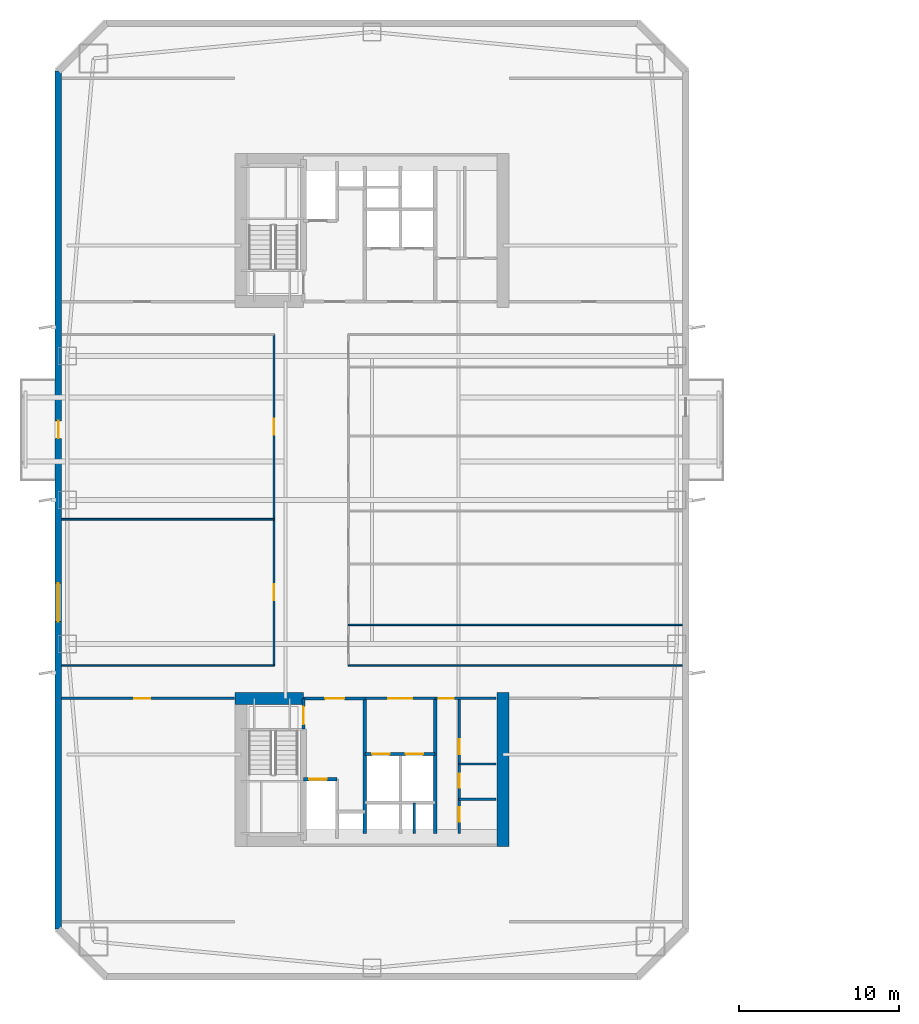
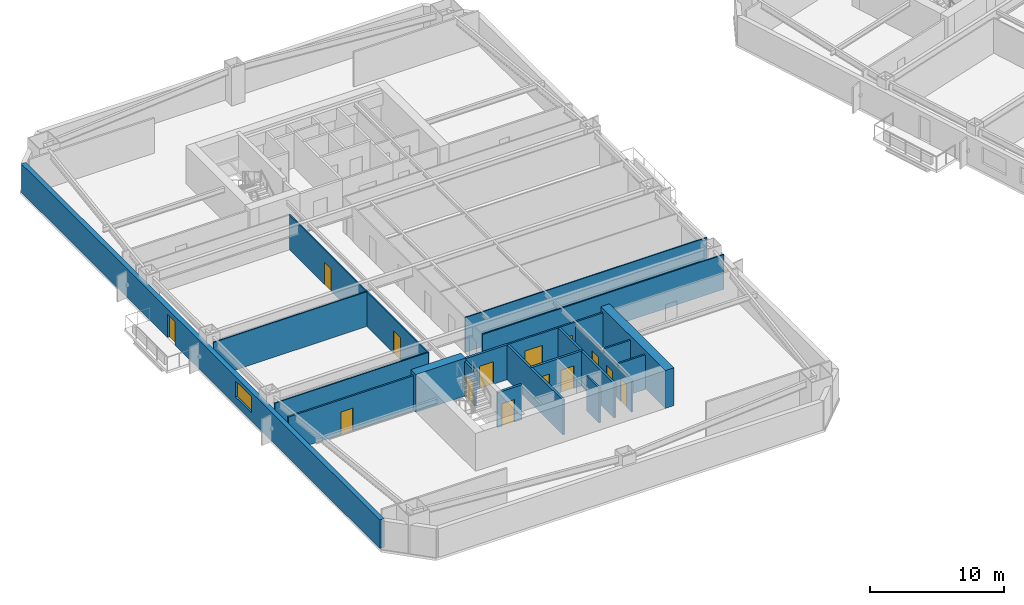
# One storey, part 6 of 19: 21 walls, 14 doors, 1 window, 15 openings.
"""IFC4 building model written with IfcOpenShell, lengths in metres."""

from ifc_helpers import new_model, si_unit, direction, frame, frame_2d, origin, place, context, subcontext, project, spatial, rectangle, extrude, material, layer, layer_set, type_object, element, fill, save


model = new_model("IFC4")

# Units and contexts
model_context = context("Model", 3, precision=1e-05, world=origin(), true_north=direction((0.0, 1.0)))
body_context = subcontext(model_context, "Body", "Model", "MODEL_VIEW")
ifc_project = project(units=[si_unit("LENGTHUNIT", "METRE"), si_unit("AREAUNIT", "SQUARE_METRE"), si_unit("VOLUMEUNIT", "CUBIC_METRE"), si_unit("PLANEANGLEUNIT", "RADIAN"), si_unit("MASSUNIT", "GRAM", prefix="KILO")], contexts=[model_context])

# Site, building, storey
site_placement = place(None, origin())
site = spatial("IfcSite", under=ifc_project, at=site_placement, CompositionType="ELEMENT")
building_placement = place(site_placement, origin())
building = spatial("IfcBuilding", under=site, at=building_placement, Name="Qiaolan Cultural Towers", CompositionType="ELEMENT")
storey_placement = place(building_placement, frame((0.0, 0.0, 78.199951171875)))
storey = spatial("IfcBuildingStorey", under=building, at=storey_placement, Name="L19", CompositionType="ELEMENT", Elevation=78.199951171875)

# Walls
ifc_material_1 = material(Name="Concrete C60", Category="concrete")
ifc_layer_1 = layer(ifc_material_1, 0.75)
ifc_layer_set_1 = layer_set([ifc_layer_1], Name="Concrete C60")
wall_type_1 = type_object("IfcWallType", Name="WL-CORE-750", PredefinedType="SHEAR", material=ifc_layer_set_1)
wall_1_placement = place(storey_placement, frame((38.199951171875, 21.97509765625, 0.0), z_axis=(0.0, 0.0, 1.0), x_axis=(0.0, -1.0, 0.0)))
element("IfcWall", 1, at=wall_1_placement, inside=storey, type_object=wall_type_1, Name="L19 T1-CS East Core Shear Wall", PredefinedType="SHEAR", context=body_context, shape_type="SweptSolid", body=[
    extrude(rectangle(XDim=9.630126953125, YDim=0.75, at=frame_2d((4.81494140625, 0.0))), origin(), (0.0, 0.0, 1.0), 3.449951171875),
])
wall_2_placement = place(storey_placement, frame((21.425048828125, 21.60009765625, 0.0), z_axis=(0.0, 0.0, 1.0), x_axis=(1.0, 0.0, 0.0)))
element("IfcWall", 2, at=wall_2_placement, inside=storey, type_object=wall_type_1, Name="L19 T1-CS Stair Front Shear Wall", PredefinedType="SHEAR", context=body_context, shape_type="SweptSolid", body=[
    extrude(rectangle(XDim=4.294921875, YDim=0.75, at=frame_2d((2.1474609375, 0.0))), origin(), (0.0, 0.0, 1.0), 3.449951171875),
])

# Wall, openings, door, window
ifc_material_2 = material(Name="Precast Concrete C50 Honed Stone Pier", Category="masonry")
ifc_layer_2 = layer(ifc_material_2, 0.39990234375)
ifc_layer_set_2 = layer_set([ifc_layer_2], Name="Precast Concrete C50 Honed Stone Pier")
wall_type_2 = type_object("IfcWallType", Name="WL-EXT-PIER-400", PredefinedType="SOLIDWALL", material=ifc_layer_set_2)
wall_3_placement = place(storey_placement, frame((10.39990234375, 7.199951171875, 0.0), z_axis=(0.0, 0.0, 1.0), x_axis=(0.0, 1.0, 0.0)))
wall_3 = element("IfcWall", 3, at=wall_3_placement, inside=storey, type_object=wall_type_2, Name="L19 West Tower Precast Pier Facade Wall F1", PredefinedType="SOLIDWALL", context=body_context, shape_type="SweptSolid", body=[
    extrude(rectangle(XDim=53.60009765625, YDim=0.39990234375, at=frame_2d((26.800048828125, 0.0))), origin(), (0.0, 0.0, 1.0), 2.610107421875),
])
opening_1_placement = place(wall_3_placement, frame((19.199951171875, 0.0, 0.75)))
opening_1 = element("IfcOpeningElement", 4, at=opening_1_placement, cuts=wall_3, Name="Opening W-02", PredefinedType="OPENING", context=body_context, shape_type="SweptSolid", body=[
    extrude(rectangle(XDim=2.39990234375, YDim=1.4599609375, at=frame_2d((1.199951171875, 0.72998046875))), frame((0.0, 0.2099609375, 0.0), z_axis=(0.0, -1.0, 0.0), x_axis=(1.0, 0.0, 0.0)), (0.0, 0.0, 1.0), 0.419921875),
])
opening_2_placement = place(wall_3_placement, frame((30.64990234375, 0.0, 0.0)))
opening_2 = element("IfcOpeningElement", 5, at=opening_2_placement, cuts=wall_3, Name="Opening BD-01", PredefinedType="OPENING", context=body_context, shape_type="SweptSolid", body=[
    extrude(rectangle(XDim=1.10009765625, YDim=2.14990234375, at=frame_2d((0.550048828125, 1.074951171875))), frame((0.0, 0.2099609375, 0.0), z_axis=(0.0, -1.0, 0.0), x_axis=(1.0, 0.0, 0.0)), (0.0, 0.0, 1.0), 0.419921875),
])
ifc_material_3 = material(Name="Thermally Broken Aluminium Glazed Terrace Door", Category="aluminium")
door_type_1 = type_object("IfcDoorType", Name="DR-BAL-1100", OperationType="NOTDEFINED", PredefinedType="DOOR", material=ifc_material_3)
door_1_placement = place(opening_2_placement, origin())
door_1 = element("IfcDoor", 6, at=door_1_placement, inside=storey, type_object=door_type_1, Name="L19 T1 West Tree Balcony Door", OperationType="SINGLE_SWING_LEFT", OverallHeight=2.14990234375, OverallWidth=1.10009765625, PredefinedType="DOOR", context=body_context, shape_type="SweptSolid", body=[
    extrude(rectangle(XDim=1.10009765625, YDim=2.14990234375, at=frame_2d((0.550048828125, 1.074951171875))), frame((0.0, 0.02490234375, 0.0), z_axis=(0.0, -1.0, 0.0), x_axis=(1.0, 0.0, 0.0)), (0.0, 0.0, 1.0), 0.050048828125),
])
fill(opening_2, door_1)
ifc_material_4 = material(Name="Thermally Broken Aluminium Triple Low-E Glazing", Category="aluminium")
window_type = type_object("IfcWindowType", Name="WN-CHIC-2400", PartitioningType="SINGLE_PANEL", PredefinedType="WINDOW", material=ifc_material_4)
window_placement = place(opening_1_placement, origin())
window = element("IfcWindow", 7, at=window_placement, inside=storey, type_object=window_type, Name="L19 T1 W Chicago Bay Window 1", OverallHeight=1.4599609375, OverallWidth=2.39990234375, PartitioningType="TRIPLE_PANEL_VERTICAL", PredefinedType="WINDOW", context=body_context, shape_type="SweptSolid", body=[
    extrude(rectangle(XDim=2.39990234375, YDim=1.4599609375, at=frame_2d((1.199951171875, 0.72998046875))), frame((0.0, 0.030029296875, 0.0), z_axis=(0.0, -1.0, 0.0), x_axis=(1.0, 0.0, 0.0)), (0.0, 0.0, 1.0), 0.06005859375),
])
fill(opening_1, window)

# Wall, opening, door
ifc_material_5 = material(Name="Concrete C35 Fire Wall", Category="concrete")
ifc_layer_3 = layer(ifc_material_5, 0.199951171875)
ifc_layer_set_3 = layer_set([ifc_layer_3], Name="Concrete C35 Fire Wall")
wall_type_3 = type_object("IfcWallType", Name="WL-FIRE-200", PredefinedType="PARTITIONING", material=ifc_layer_set_3)
wall_4_placement = place(storey_placement, frame((25.719970703125, 21.60009765625, 0.0), z_axis=(0.0, 0.0, 1.0), x_axis=(0.0, -1.0, 0.0)))
wall_4 = element("IfcWall", 8, at=wall_4_placement, inside=storey, type_object=wall_type_3, Name="L19 T1-CS Smokeproof Stair Entry Wall", PredefinedType="PARTITIONING", context=body_context, shape_type="SweptSolid", body=[
    extrude(rectangle(XDim=1.900146484375, YDim=0.199951171875, at=frame_2d((0.9501953125, 0.0))), origin(), (0.0, 0.0, 1.0), 3.175048828125),
])
opening_3_placement = place(wall_4_placement, frame((0.52001953125, 0.0, 0.0)))
opening_3 = element("IfcOpeningElement", 9, at=opening_3_placement, cuts=wall_4, Name="Opening FD-04", PredefinedType="OPENING", context=body_context, shape_type="SweptSolid", body=[
    extrude(rectangle(XDim=1.10009765625, YDim=2.050048828125, at=frame_2d((0.550048828125, 1.02490234375))), frame((0.0, 0.10986328125, 0.0), z_axis=(0.0, -1.0, 0.0), x_axis=(1.0, 0.0, 0.0)), (0.0, 0.0, 1.0), 0.219970703125),
])
ifc_material_6 = material(Name="Galvanized Steel Command Fire Door", Category="steel")
door_type_2 = type_object("IfcDoorType", Name="DR-FD90-1100", OperationType="NOTDEFINED", PredefinedType="DOOR", material=ifc_material_6)
door_2_placement = place(opening_3_placement, origin())
door_2 = element("IfcDoor", 10, at=door_2_placement, inside=storey, type_object=door_type_2, Name="L19 ST-W1 Smokeproof Stair Fire Door", OperationType="SINGLE_SWING_LEFT", OverallHeight=2.050048828125, OverallWidth=1.10009765625, PredefinedType="DOOR", context=body_context, shape_type="SweptSolid", body=[
    extrude(rectangle(XDim=1.10009765625, YDim=2.050048828125, at=frame_2d((0.550048828125, 1.02490234375))), frame((0.0, 0.02490234375, 0.0), z_axis=(0.0, -1.0, 0.0), x_axis=(1.0, 0.0, 0.0)), (0.0, 0.0, 1.0), 0.050048828125),
])
fill(opening_3, door_2)

# Wall
wall_5_placement = place(storey_placement, frame((29.550048828125, 21.60009765625, 0.0), z_axis=(0.0, 0.0, 1.0), x_axis=(0.0, -1.0, 0.0)))
element("IfcWall", 11, at=wall_5_placement, inside=storey, type_object=wall_type_3, Name="L19 T1-CS Firefighting Zone Wall", PredefinedType="PARTITIONING", context=body_context, shape_type="SweptSolid", body=[
    extrude(rectangle(XDim=8.43017578125, YDim=0.199951171875, at=frame_2d((4.215087890625, 0.0))), origin(), (0.0, 0.0, 1.0), 3.175048828125),
])

# Wall, opening, door
wall_6_placement = place(storey_placement, frame((25.719970703125, 21.60009765625, 0.0), z_axis=(0.0, 0.0, 1.0), x_axis=(1.0, 0.0, 0.0)))
wall_6 = element("IfcWall", 12, at=wall_6_placement, inside=storey, type_object=wall_type_3, Name="L19 T1-CS Firefighting Lobby Front Wall", PredefinedType="PARTITIONING", context=body_context, shape_type="SweptSolid", body=[
    extrude(rectangle(XDim=3.830078125, YDim=0.199951171875, at=frame_2d((1.9150390625, 0.0))), origin(), (0.0, 0.0, 1.0), 3.175048828125),
])
opening_4_placement = place(wall_6_placement, frame((1.35009765625, 0.0, 0.0)))
opening_4 = element("IfcOpeningElement", 13, at=opening_4_placement, cuts=wall_6, Name="Opening FD-03", PredefinedType="OPENING", context=body_context, shape_type="SweptSolid", body=[
    extrude(rectangle(XDim=1.199951171875, YDim=2.050048828125, at=frame_2d((0.60009765625, 1.02490234375))), frame((0.0, 0.10986328125, 0.0), z_axis=(0.0, -1.0, 0.0), x_axis=(1.0, 0.0, 0.0)), (0.0, 0.0, 1.0), 0.219970703125),
])
ifc_material_7 = material(Name="Galvanized Steel Smokeproof Lobby Fire Door", Category="steel")
door_type_3 = type_object("IfcDoorType", Name="DR-FD90-1200", OperationType="NOTDEFINED", PredefinedType="DOOR", material=ifc_material_7)
door_3_placement = place(opening_4_placement, origin())
door_3 = element("IfcDoor", 14, at=door_3_placement, inside=storey, type_object=door_type_3, Name="L19 FFL-W1 Firefighting Lobby Fire Door", OperationType="SINGLE_SWING_LEFT", OverallHeight=2.050048828125, OverallWidth=1.199951171875, PredefinedType="DOOR", context=body_context, shape_type="SweptSolid", body=[
    extrude(rectangle(XDim=1.199951171875, YDim=2.050048828125, at=frame_2d((0.60009765625, 1.02490234375))), frame((0.0, 0.02490234375, 0.0), z_axis=(0.0, -1.0, 0.0), x_axis=(1.0, 0.0, 0.0)), (0.0, 0.0, 1.0), 0.050048828125),
])
fill(opening_4, door_3)

wall_7_placement = place(storey_placement, frame((25.719970703125, 16.550048828125, 0.0), z_axis=(0.0, 0.0, 1.0), x_axis=(1.0, 0.0, 0.0)))
wall_7 = element("IfcWall", 15, at=wall_7_placement, inside=storey, type_object=wall_type_3, Name="L19 T1-CS Firefighting Shaft Front Wall", PredefinedType="PARTITIONING", context=body_context, shape_type="SweptSolid", body=[
    extrude(rectangle(XDim=2.10009765625, YDim=0.199951171875, at=frame_2d((1.050048828125, 0.0))), origin(), (0.0, 0.0, 1.0), 3.175048828125),
])
opening_5_placement = place(wall_7_placement, frame((0.35009765625, 0.0, 0.0)))
opening_5 = element("IfcOpeningElement", 16, at=opening_5_placement, cuts=wall_7, Name="Opening LD-01", PredefinedType="OPENING", context=body_context, shape_type="SweptSolid", body=[
    extrude(rectangle(XDim=1.10009765625, YDim=2.050048828125, at=frame_2d((0.550048828125, 1.02490234375))), frame((0.0, 0.10986328125, 0.0), z_axis=(0.0, -1.0, 0.0), x_axis=(1.0, 0.0, 0.0)), (0.0, 0.0, 1.0), 0.219970703125),
])
ifc_material_8 = material(Name="Brushed Stainless Steel S30408 Centre-Parting Lift Landing Door", Category="steel")
door_type_4 = type_object("IfcDoorType", Name="DR-LIFT-1100", OperationType="NOTDEFINED", PredefinedType="DOOR", material=ifc_material_8)
door_4_placement = place(opening_5_placement, origin())
door_4 = element("IfcDoor", 17, at=door_4_placement, inside=storey, type_object=door_type_4, Name="L19 FFL-W1 Firefighting Lift Landing Door", OperationType="DOUBLE_DOOR_SLIDING", OverallHeight=2.050048828125, OverallWidth=1.10009765625, PredefinedType="DOOR", context=body_context, shape_type="SweptSolid", body=[
    extrude(rectangle(XDim=1.10009765625, YDim=2.050048828125, at=frame_2d((0.550048828125, 1.02490234375))), frame((0.0, 0.02490234375, 0.0), z_axis=(0.0, -1.0, 0.0), x_axis=(1.0, 0.0, 0.0)), (0.0, 0.0, 1.0), 0.050048828125),
])
fill(opening_5, door_4)

# Wall
wall_8_placement = place(storey_placement, frame((33.949951171875, 21.60009765625, 0.0), z_axis=(0.0, 0.0, 1.0), x_axis=(0.0, -1.0, 0.0)))
element("IfcWall", 18, at=wall_8_placement, inside=storey, type_object=wall_type_3, Name="L19 T1-CS Lift Core East Wall", PredefinedType="PARTITIONING", context=body_context, shape_type="SweptSolid", body=[
    extrude(rectangle(XDim=8.43017578125, YDim=0.199951171875, at=frame_2d((4.215087890625, 0.0))), origin(), (0.0, 0.0, 1.0), 3.175048828125),
])

# Wall, openings, doors
wall_9_placement = place(storey_placement, frame((29.550048828125, 18.1201171875, 0.0), z_axis=(0.0, 0.0, 1.0), x_axis=(1.0, 0.0, 0.0)))
wall_9 = element("IfcWall", 19, at=wall_9_placement, inside=storey, type_object=wall_type_3, Name="L19 T1-CS Passenger Lift Shaft Front Wall", PredefinedType="PARTITIONING", context=body_context, shape_type="SweptSolid", body=[
    extrude(rectangle(XDim=4.39990234375, YDim=0.199951171875, at=frame_2d((2.199951171875, 0.0))), origin(), (0.0, 0.0, 1.0), 3.175048828125),
])
opening_6_placement = place(wall_9_placement, frame((0.449951171875, 0.0, 0.0)))
opening_6 = element("IfcOpeningElement", 20, at=opening_6_placement, cuts=wall_9, Name="Opening LD-01", PredefinedType="OPENING", context=body_context, shape_type="SweptSolid", body=[
    extrude(rectangle(XDim=1.10009765625, YDim=2.050048828125, at=frame_2d((0.550048828125, 1.02490234375))), frame((0.0, 0.10986328125, 0.0), z_axis=(0.0, -1.0, 0.0), x_axis=(1.0, 0.0, 0.0)), (0.0, 0.0, 1.0), 0.219970703125),
])
opening_7_placement = place(wall_9_placement, frame((2.550048828125, 0.0, 0.0)))
opening_7 = element("IfcOpeningElement", 21, at=opening_7_placement, cuts=wall_9, Name="Opening LD-01", PredefinedType="OPENING", context=body_context, shape_type="SweptSolid", body=[
    extrude(rectangle(XDim=1.10009765625, YDim=2.050048828125, at=frame_2d((0.550048828125, 1.02490234375))), frame((0.0, 0.10986328125, 0.0), z_axis=(0.0, -1.0, 0.0), x_axis=(1.0, 0.0, 0.0)), (0.0, 0.0, 1.0), 0.219970703125),
])
door_5_placement = place(opening_6_placement, origin())
door_5 = element("IfcDoor", 22, at=door_5_placement, inside=storey, type_object=door_type_4, Name="L19 Passenger Lift 1 Landing Door", OperationType="DOUBLE_DOOR_SLIDING", OverallHeight=2.050048828125, OverallWidth=1.10009765625, PredefinedType="DOOR", context=body_context, shape_type="SweptSolid", body=[
    extrude(rectangle(XDim=1.10009765625, YDim=2.050048828125, at=frame_2d((0.550048828125, 1.02490234375))), frame((0.0, 0.02490234375, 0.0), z_axis=(0.0, -1.0, 0.0), x_axis=(1.0, 0.0, 0.0)), (0.0, 0.0, 1.0), 0.050048828125),
])
fill(opening_6, door_5)
door_6_placement = place(opening_7_placement, origin())
door_6 = element("IfcDoor", 23, at=door_6_placement, inside=storey, type_object=door_type_4, Name="L19 Passenger Lift 2 Landing Door", OperationType="DOUBLE_DOOR_SLIDING", OverallHeight=2.050048828125, OverallWidth=1.10009765625, PredefinedType="DOOR", context=body_context, shape_type="SweptSolid", body=[
    extrude(rectangle(XDim=1.10009765625, YDim=2.050048828125, at=frame_2d((0.550048828125, 1.02490234375))), frame((0.0, 0.02490234375, 0.0), z_axis=(0.0, -1.0, 0.0), x_axis=(1.0, 0.0, 0.0)), (0.0, 0.0, 1.0), 0.050048828125),
])
fill(opening_7, door_6)

# Walls
ifc_material_9 = material(Name="Acoustic Double-Glazed Partition Frame", Category="glass")
ifc_layer_4 = layer(ifc_material_9, 0.10009765625)
ifc_layer_set_4 = layer_set([ifc_layer_4], Name="Acoustic Double-Glazed Partition Frame")
wall_type_4 = type_object("IfcWallType", Name="WL-GLAZED-100", PredefinedType="MOVABLE", material=ifc_layer_set_4)
wall_10_placement = place(storey_placement, frame((10.60009765625, 23.64990234375, 0.0), z_axis=(0.0, 0.0, 1.0), x_axis=(1.0, 0.0, 0.0)))
element("IfcWall", 24, at=wall_10_placement, inside=storey, type_object=wall_type_4, Name="L19 T1 South Corridor Left Wall", PredefinedType="MOVABLE", context=body_context, shape_type="SweptSolid", body=[
    extrude(rectangle(XDim=13.27490234375, YDim=0.10009765625, at=frame_2d((6.637451171875, 0.0))), origin(), (0.0, 0.0, 1.0), 3.175048828125),
])
wall_11_placement = place(storey_placement, frame((28.52490234375, 23.64990234375, 0.0), z_axis=(0.0, 0.0, 1.0), x_axis=(1.0, 0.0, 0.0)))
element("IfcWall", 25, at=wall_11_placement, inside=storey, type_object=wall_type_4, Name="L19 T1 South Corridor Right Wall", PredefinedType="MOVABLE", context=body_context, shape_type="SweptSolid", body=[
    extrude(rectangle(XDim=20.875, YDim=0.10009765625, at=frame_2d((10.4375, 0.0))), origin(), (0.0, 0.0, 1.0), 3.175048828125),
])

# Wall, openings, doors
wall_12_placement = place(storey_placement, frame((23.875, 23.64990234375, 0.0), z_axis=(0.0, 0.0, 1.0), x_axis=(0.0, 1.0, 0.0)))
wall_12 = element("IfcWall", 26, at=wall_12_placement, inside=storey, type_object=wall_type_4, Name="L19 T1 West Spine Wall", PredefinedType="MOVABLE", context=body_context, shape_type="SweptSolid", body=[
    extrude(rectangle(XDim=20.7001953125, YDim=0.10009765625, at=frame_2d((10.35009765625, 0.0))), origin(), (0.0, 0.0, 1.0), 3.175048828125),
])
opening_8_placement = place(wall_12_placement, frame((4.074951171875, 0.0, 0.0)))
opening_8 = element("IfcOpeningElement", 27, at=opening_8_placement, cuts=wall_12, Name="Opening ID-04", PredefinedType="OPENING", context=body_context, shape_type="SweptSolid", body=[
    extrude(rectangle(XDim=1.0, YDim=2.050048828125, at=frame_2d((0.5, 1.02490234375))), frame((0.0, 0.06005859375, 0.0), z_axis=(0.0, -1.0, 0.0), x_axis=(1.0, 0.0, 0.0)), (0.0, 0.0, 1.0), 0.1201171875),
])
opening_9_placement = place(wall_12_placement, frame((14.425048828125, 0.0, 0.0)))
opening_9 = element("IfcOpeningElement", 28, at=opening_9_placement, cuts=wall_12, Name="Opening ID-04", PredefinedType="OPENING", context=body_context, shape_type="SweptSolid", body=[
    extrude(rectangle(XDim=1.0, YDim=2.050048828125, at=frame_2d((0.5, 1.02490234375))), frame((0.0, 0.06005859375, 0.0), z_axis=(0.0, -1.0, 0.0), x_axis=(1.0, 0.0, 0.0)), (0.0, 0.0, 1.0), 0.1201171875),
])
ifc_material_10 = material(Name="Oak Veneer Acoustic Office Door", Category="timber")
door_type_5 = type_object("IfcDoorType", Name="DR-INT-1000", OperationType="NOTDEFINED", PredefinedType="DOOR", material=ifc_material_10)
door_7_placement = place(opening_8_placement, origin())
door_7 = element("IfcDoor", 29, at=door_7_placement, inside=storey, type_object=door_type_5, Name="L19 T1 Open Design Atelier Door", OperationType="SINGLE_SWING_LEFT", OverallHeight=2.050048828125, OverallWidth=1.0, PredefinedType="DOOR", context=body_context, shape_type="SweptSolid", body=[
    extrude(rectangle(XDim=1.0, YDim=2.050048828125, at=frame_2d((0.5, 1.02490234375))), frame((0.0, 0.02490234375, 0.0), z_axis=(0.0, -1.0, 0.0), x_axis=(1.0, 0.0, 0.0)), (0.0, 0.0, 1.0), 0.050048828125),
])
fill(opening_8, door_7)
door_8_placement = place(opening_9_placement, origin())
door_8 = element("IfcDoor", 30, at=door_8_placement, inside=storey, type_object=door_type_5, Name="L19 T1 Cultural Media Hall Door", OperationType="SINGLE_SWING_RIGHT", OverallHeight=2.050048828125, OverallWidth=1.0, PredefinedType="DOOR", context=body_context, shape_type="SweptSolid", body=[
    extrude(rectangle(XDim=1.0, YDim=2.050048828125, at=frame_2d((0.5, 1.02490234375))), frame((0.0, 0.02490234375, 0.0), z_axis=(0.0, -1.0, 0.0), x_axis=(1.0, 0.0, 0.0)), (0.0, 0.0, 1.0), 0.050048828125),
])
fill(opening_9, door_8)

# Walls
wall_13_placement = place(storey_placement, frame((10.60009765625, 32.800048828125, 0.0), z_axis=(0.0, 0.0, 1.0), x_axis=(1.0, 0.0, 0.0)))
element("IfcWall", 31, at=wall_13_placement, inside=storey, type_object=wall_type_4, Name="L19 T1 West Partition 1", PredefinedType="MOVABLE", context=body_context, shape_type="SweptSolid", body=[
    extrude(rectangle(XDim=13.27490234375, YDim=0.10009765625, at=frame_2d((6.637451171875, 0.0))), origin(), (0.0, 0.0, 1.0), 3.175048828125),
])
wall_14_placement = place(storey_placement, frame((28.52490234375, 26.199951171875, 0.0), z_axis=(0.0, 0.0, 1.0), x_axis=(1.0, 0.0, 0.0)))
element("IfcWall", 32, at=wall_14_placement, inside=storey, type_object=wall_type_4, Name="L19 T1 East Partition 1", PredefinedType="MOVABLE", context=body_context, shape_type="SweptSolid", body=[
    extrude(rectangle(XDim=20.875, YDim=0.10009765625, at=frame_2d((10.4375, 0.0))), origin(), (0.0, 0.0, 1.0), 3.175048828125),
])

# Wall, opening, door
ifc_material_11 = material(Name="Autoclaved Aerated Concrete Block B06", Category="concrete")
ifc_layer_5 = layer(ifc_material_11, 0.14990234375)
ifc_layer_set_5 = layer_set([ifc_layer_5], Name="Autoclaved Aerated Concrete Block B06")
wall_type_5 = type_object("IfcWallType", Name="WL-PART-150", PredefinedType="PARTITIONING", material=ifc_layer_set_5)
wall_15_placement = place(storey_placement, frame((29.550048828125, 21.60009765625, 0.0), z_axis=(0.0, 0.0, 1.0), x_axis=(1.0, 0.0, 0.0)))
wall_15 = element("IfcWall", 33, at=wall_15_placement, inside=storey, type_object=wall_type_5, Name="L19 T1-CS Passenger Lift Lobby Front Wall", PredefinedType="PARTITIONING", context=body_context, shape_type="SweptSolid", body=[
    extrude(rectangle(XDim=4.39990234375, YDim=0.14990234375, at=frame_2d((2.199951171875, 0.0))), origin(), (0.0, 0.0, 1.0), 3.175048828125),
])
opening_10_placement = place(wall_15_placement, frame((1.449951171875, 0.0, 0.0)))
opening_10 = element("IfcOpeningElement", 34, at=opening_10_placement, cuts=wall_15, Name="Opening FD-05", PredefinedType="OPENING", context=body_context, shape_type="SweptSolid", body=[
    extrude(rectangle(XDim=1.5, YDim=2.050048828125, at=frame_2d((0.75, 1.02490234375))), frame((0.0, 0.0849609375, 0.0), z_axis=(0.0, -1.0, 0.0), x_axis=(1.0, 0.0, 0.0)), (0.0, 0.0, 1.0), 0.169921875),
])
ifc_material_12 = material(Name="Painted Steel Lift Lobby Fire Door", Category="steel")
door_type_6 = type_object("IfcDoorType", Name="DR-FD60-1500", OperationType="NOTDEFINED", PredefinedType="DOOR", material=ifc_material_12)
door_9_placement = place(opening_10_placement, origin())
door_9 = element("IfcDoor", 35, at=door_9_placement, inside=storey, type_object=door_type_6, Name="L19 Passenger Lift Lobby Entrance", OperationType="SINGLE_SWING_LEFT", OverallHeight=2.050048828125, OverallWidth=1.5, PredefinedType="DOOR", context=body_context, shape_type="SweptSolid", body=[
    extrude(rectangle(XDim=1.5, YDim=2.050048828125, at=frame_2d((0.75, 1.02490234375))), frame((0.0, 0.02490234375, 0.0), z_axis=(0.0, -1.0, 0.0), x_axis=(1.0, 0.0, 0.0)), (0.0, 0.0, 1.0), 0.050048828125),
])
fill(opening_10, door_9)

# Wall
wall_16_placement = place(storey_placement, frame((32.64990234375, 15.050048828125, 0.0), z_axis=(0.0, 0.0, 1.0), x_axis=(0.0, -1.0, 0.0)))
element("IfcWall", 36, at=wall_16_placement, inside=storey, type_object=wall_type_5, Name="L19 T1-CS Core Rear Asymmetric Wall", PredefinedType="PARTITIONING", context=body_context, shape_type="SweptSolid", body=[
    extrude(rectangle(XDim=1.880126953125, YDim=0.14990234375, at=frame_2d((0.93994140625, 0.0))), origin(), (0.0, 0.0, 1.0), 3.175048828125),
])

# Wall, opening, door
wall_17_placement = place(storey_placement, frame((33.949951171875, 21.60009765625, 0.0), z_axis=(0.0, 0.0, 1.0), x_axis=(1.0, 0.0, 0.0)))
wall_17 = element("IfcWall", 37, at=wall_17_placement, inside=storey, type_object=wall_type_5, Name="L19 T1-CS Sanitary Core Front Wall", PredefinedType="PARTITIONING", context=body_context, shape_type="SweptSolid", body=[
    extrude(rectangle(XDim=3.800048828125, YDim=0.14990234375, at=frame_2d((1.89990234375, 0.0))), origin(), (0.0, 0.0, 1.0), 3.175048828125),
])
opening_11_placement = place(wall_17_placement, frame((0.219970703125, 0.0, 0.0)))
opening_11 = element("IfcOpeningElement", 38, at=opening_11_placement, cuts=wall_17, Name="Opening ID-05", PredefinedType="OPENING", context=body_context, shape_type="SweptSolid", body=[
    extrude(rectangle(XDim=0.949951171875, YDim=2.050048828125, at=frame_2d((0.47509765625, 1.02490234375))), frame((0.0, 0.0849609375, 0.0), z_axis=(0.0, -1.0, 0.0), x_axis=(1.0, 0.0, 0.0)), (0.0, 0.0, 1.0), 0.169921875),
])
ifc_material_13 = material(Name="Fire-Rated Laminate Accessible Core Door", Category="timber")
door_type_7 = type_object("IfcDoorType", Name="DR-INT-950", OperationType="NOTDEFINED", PredefinedType="DOOR", material=ifc_material_13)
door_10_placement = place(opening_11_placement, origin())
door_10 = element("IfcDoor", 39, at=door_10_placement, inside=storey, type_object=door_type_7, Name="L19 Sanitary Vestibule Door", OperationType="SINGLE_SWING_LEFT", OverallHeight=2.050048828125, OverallWidth=0.949951171875, PredefinedType="DOOR", context=body_context, shape_type="SweptSolid", body=[
    extrude(rectangle(XDim=0.949951171875, YDim=2.050048828125, at=frame_2d((0.47509765625, 1.02490234375))), frame((0.0, 0.02490234375, 0.0), z_axis=(0.0, -1.0, 0.0), x_axis=(1.0, 0.0, 0.0)), (0.0, 0.0, 1.0), 0.050048828125),
])
fill(opening_11, door_10)

# Wall, openings, doors
wall_18_placement = place(storey_placement, frame((35.449951171875, 21.60009765625, 0.0), z_axis=(0.0, 0.0, 1.0), x_axis=(0.0, -1.0, 0.0)))
wall_18 = element("IfcWall", 40, at=wall_18_placement, inside=storey, type_object=wall_type_5, Name="L19 T1-CS Sanitary Vestibule Wall", PredefinedType="PARTITIONING", context=body_context, shape_type="SweptSolid", body=[
    extrude(rectangle(XDim=8.43017578125, YDim=0.14990234375, at=frame_2d((4.215087890625, 0.0))), origin(), (0.0, 0.0, 1.0), 2.81494140625),
])
opening_12_placement = place(wall_18_placement, frame((2.550048828125, 0.0, 0.0)))
opening_12 = element("IfcOpeningElement", 41, at=opening_12_placement, cuts=wall_18, Name="Opening ID-05", PredefinedType="OPENING", context=body_context, shape_type="SweptSolid", body=[
    extrude(rectangle(XDim=0.949951171875, YDim=2.050048828125, at=frame_2d((0.47509765625, 1.02490234375))), frame((0.0, 0.0849609375, 0.0), z_axis=(0.0, -1.0, 0.0), x_axis=(1.0, 0.0, 0.0)), (0.0, 0.0, 1.0), 0.169921875),
])
opening_13_placement = place(wall_18_placement, frame((4.699951171875, 0.0, 0.0)))
opening_13 = element("IfcOpeningElement", 42, at=opening_13_placement, cuts=wall_18, Name="Opening ID-06", PredefinedType="OPENING", context=body_context, shape_type="SweptSolid", body=[
    extrude(rectangle(XDim=0.89990234375, YDim=2.050048828125, at=frame_2d((0.449951171875, 1.02490234375))), frame((0.0, 0.0849609375, 0.0), z_axis=(0.0, -1.0, 0.0), x_axis=(1.0, 0.0, 0.0)), (0.0, 0.0, 1.0), 0.169921875),
])
opening_14_placement = place(wall_18_placement, frame((6.800048828125, 0.0, 0.0)))
opening_14 = element("IfcOpeningElement", 43, at=opening_14_placement, cuts=wall_18, Name="Opening ID-06", PredefinedType="OPENING", context=body_context, shape_type="SweptSolid", body=[
    extrude(rectangle(XDim=0.89990234375, YDim=2.050048828125, at=frame_2d((0.449951171875, 1.02490234375))), frame((0.0, 0.0849609375, 0.0), z_axis=(0.0, -1.0, 0.0), x_axis=(1.0, 0.0, 0.0)), (0.0, 0.0, 1.0), 0.169921875),
])
ifc_material_14 = material(Name="Fire-Rated Laminate Core Service Door", Category="timber")
door_type_8 = type_object("IfcDoorType", Name="DR-INT-900", OperationType="NOTDEFINED", PredefinedType="DOOR", material=ifc_material_14)
door_11_placement = place(opening_13_placement, origin())
door_11 = element("IfcDoor", 44, at=door_11_placement, inside=storey, type_object=door_type_8, Name="L19 Men Washroom Door", OperationType="SINGLE_SWING_LEFT", OverallHeight=2.050048828125, OverallWidth=0.89990234375, PredefinedType="DOOR", context=body_context, shape_type="SweptSolid", body=[
    extrude(rectangle(XDim=0.89990234375, YDim=2.050048828125, at=frame_2d((0.449951171875, 1.02490234375))), frame((0.0, 0.02490234375, 0.0), z_axis=(0.0, -1.0, 0.0), x_axis=(1.0, 0.0, 0.0)), (0.0, 0.0, 1.0), 0.050048828125),
])
fill(opening_13, door_11)
door_12_placement = place(opening_14_placement, origin())
door_12 = element("IfcDoor", 45, at=door_12_placement, inside=storey, type_object=door_type_8, Name="L19 Women Washroom Door", OperationType="SINGLE_SWING_RIGHT", OverallHeight=2.050048828125, OverallWidth=0.89990234375, PredefinedType="DOOR", context=body_context, shape_type="SweptSolid", body=[
    extrude(rectangle(XDim=0.89990234375, YDim=2.050048828125, at=frame_2d((0.449951171875, 1.02490234375))), frame((0.0, 0.02490234375, 0.0), z_axis=(0.0, -1.0, 0.0), x_axis=(1.0, 0.0, 0.0)), (0.0, 0.0, 1.0), 0.050048828125),
])
fill(opening_14, door_12)
door_13_placement = place(opening_12_placement, origin())
door_13 = element("IfcDoor", 46, at=door_13_placement, inside=storey, type_object=door_type_7, Name="L19 Accessible Family Washroom Door", OperationType="SINGLE_SWING_LEFT", OverallHeight=2.050048828125, OverallWidth=0.949951171875, PredefinedType="DOOR", context=body_context, shape_type="SweptSolid", body=[
    extrude(rectangle(XDim=0.949951171875, YDim=2.050048828125, at=frame_2d((0.47509765625, 1.02490234375))), frame((0.0, 0.02490234375, 0.0), z_axis=(0.0, -1.0, 0.0), x_axis=(1.0, 0.0, 0.0)), (0.0, 0.0, 1.0), 0.050048828125),
])
fill(opening_12, door_13)

# Walls
for number, where, z_axis, x_axis, name in (
    (47, (35.449951171875, 17.5, 0.0), (0.0, 0.0, 1.0), (1.0, 0.0, 0.0), "L19 T1-CS Restroom Split Wall 1"),
    (48, (35.449951171875, 15.300048828125, 0.0), (0.0, 0.0, 1.0), (1.0, 0.0, 0.0), "L19 T1-CS Restroom Split Wall 2"),
):
    element("IfcWall", number, at=place(storey_placement, frame(where, z_axis=z_axis, x_axis=x_axis)), inside=storey, type_object=wall_type_5, Name=name, PredefinedType="PARTITIONING", context=body_context, shape_type="SweptSolid", body=[
        extrude(rectangle(XDim=2.300048828125, YDim=0.14990234375, at=frame_2d((1.14990234375, 0.0))), origin(), (0.0, 0.0, 1.0), 3.175048828125),
    ])

# Wall, opening, door
wall_19_placement = place(storey_placement, frame((10.60009765625, 21.60009765625, 0.0), z_axis=(0.0, 0.0, 1.0), x_axis=(1.0, 0.0, 0.0)))
wall_19 = element("IfcWall", 49, at=wall_19_placement, inside=storey, type_object=wall_type_5, Name="L19 T1 Flank Front FLK-SW", PredefinedType="PARTITIONING", context=body_context, shape_type="SweptSolid", body=[
    extrude(rectangle(XDim=10.7998046875, YDim=0.14990234375, at=frame_2d((5.39990234375, 0.0))), origin(), (0.0, 0.0, 1.0), 3.175048828125),
])
opening_15_placement = place(wall_19_placement, frame((4.535888671875, 0.0, 0.0)))
opening_15 = element("IfcOpeningElement", 50, at=opening_15_placement, cuts=wall_19, Name="Opening ID-04", PredefinedType="OPENING", context=body_context, shape_type="SweptSolid", body=[
    extrude(rectangle(XDim=1.0, YDim=2.050048828125, at=frame_2d((0.5, 1.02490234375))), frame((0.0, 0.0849609375, 0.0), z_axis=(0.0, -1.0, 0.0), x_axis=(1.0, 0.0, 0.0)), (0.0, 0.0, 1.0), 0.169921875),
])
door_14_placement = place(opening_15_placement, origin())
door_14 = element("IfcDoor", 51, at=door_14_placement, inside=storey, type_object=door_type_5, Name="L19 T1 Corner Studio Door", OperationType="SINGLE_SWING_LEFT", OverallHeight=2.050048828125, OverallWidth=1.0, PredefinedType="DOOR", context=body_context, shape_type="SweptSolid", body=[
    extrude(rectangle(XDim=1.0, YDim=2.050048828125, at=frame_2d((0.5, 1.02490234375))), frame((0.0, 0.02490234375, 0.0), z_axis=(0.0, -1.0, 0.0), x_axis=(1.0, 0.0, 0.0)), (0.0, 0.0, 1.0), 0.050048828125),
])
fill(opening_15, door_14)

save(model, "model.ifc")
